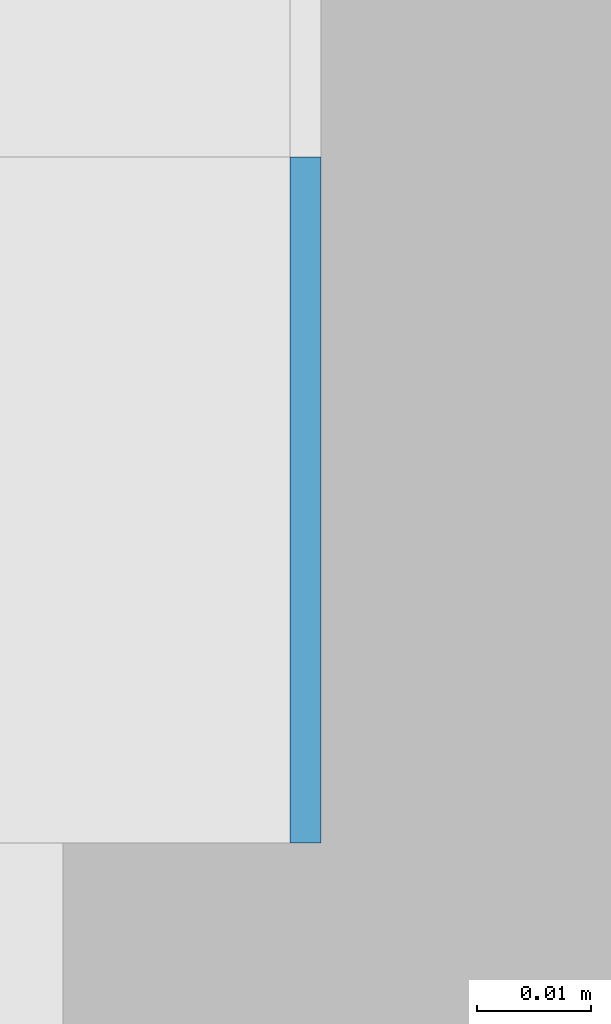
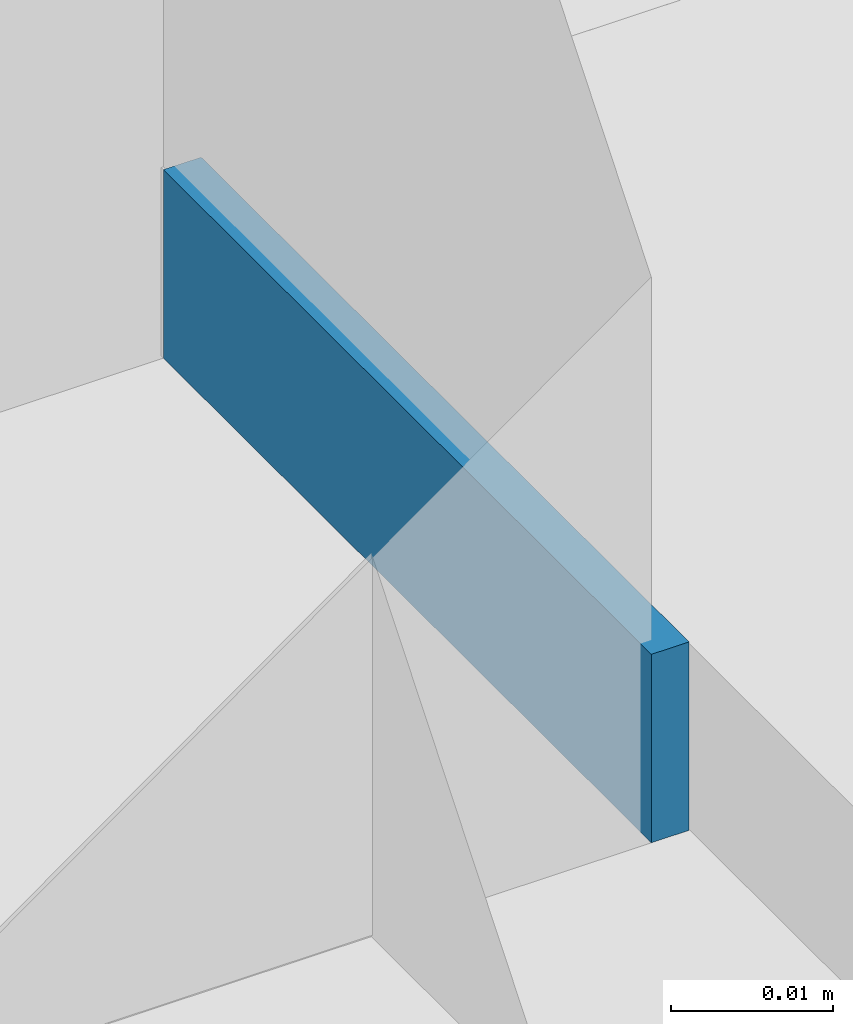
# One storey, part 412 of 646: 1 discrete accessory.
"""IFC4 building model written with IfcOpenShell, lengths in metres."""

from ifc_helpers import new_model, si_unit, direction, frame, origin, origin_2d, place, context, subcontext, project, spatial, rectangle, extrude, material, type_object, element, save


model = new_model("IFC4")

# Units and contexts
model_context = context("Model", 3, precision=1e-05, world=origin(), true_north=direction((0.0, 1.0)))
body_context = subcontext(model_context, "Body", "Model", "MODEL_VIEW")
ifc_project = project(units=[si_unit("LENGTHUNIT", "METRE"), si_unit("AREAUNIT", "SQUARE_METRE"), si_unit("VOLUMEUNIT", "CUBIC_METRE"), si_unit("PLANEANGLEUNIT", "RADIAN"), si_unit("MASSUNIT", "GRAM", prefix="KILO")], contexts=[model_context])

# Site, building, storey
site_placement = place(None, origin())
site = spatial("IfcSite", under=ifc_project, at=site_placement, CompositionType="ELEMENT")
building_placement = place(site_placement, origin())
building = spatial("IfcBuilding", under=site, at=building_placement, Name="Silverbay Arena", CompositionType="ELEMENT")
storey_placement = place(building_placement, frame((0.0, 0.0, 33.5)))
storey = spatial("IfcBuildingStorey", under=building, at=storey_placement, Name="L05", CompositionType="ELEMENT", Elevation=33.5)

# Discrete accessory
ifc_material = material(Name="Steel S355", Category="steel")
discrete_accessory_type = type_object("IfcDiscreteAccessoryType", Name="Steel bracket plate", PredefinedType="BRACKET", material=ifc_material)
discrete_accessory_placement = place(storey_placement, frame((53.871337890625, 125.969970703125, 4.0), z_axis=(0.0, 0.0, 1.0), x_axis=(1.0, 0.0, 0.0)))
element("IfcDiscreteAccessory", 1, at=discrete_accessory_placement, inside=storey, type_object=discrete_accessory_type, Name="Curtain wall packing plate", PredefinedType="BRACKET", context=body_context, shape_type="SweptSolid", body=[
    extrude(rectangle(XDim=0.002685546875, YDim=0.06005859375, at=origin_2d()), origin(), (0.0, 0.0, 1.0), 0.01416015625),
])

save(model, "model.ifc")
